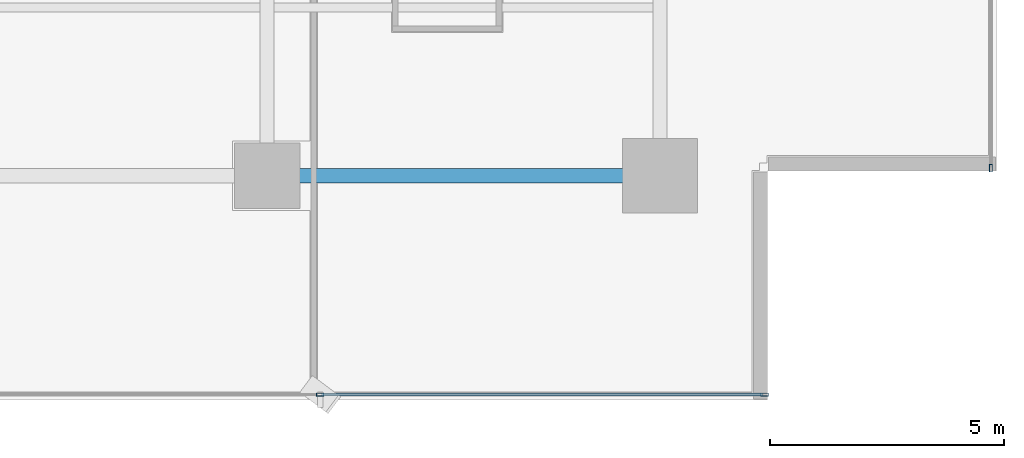
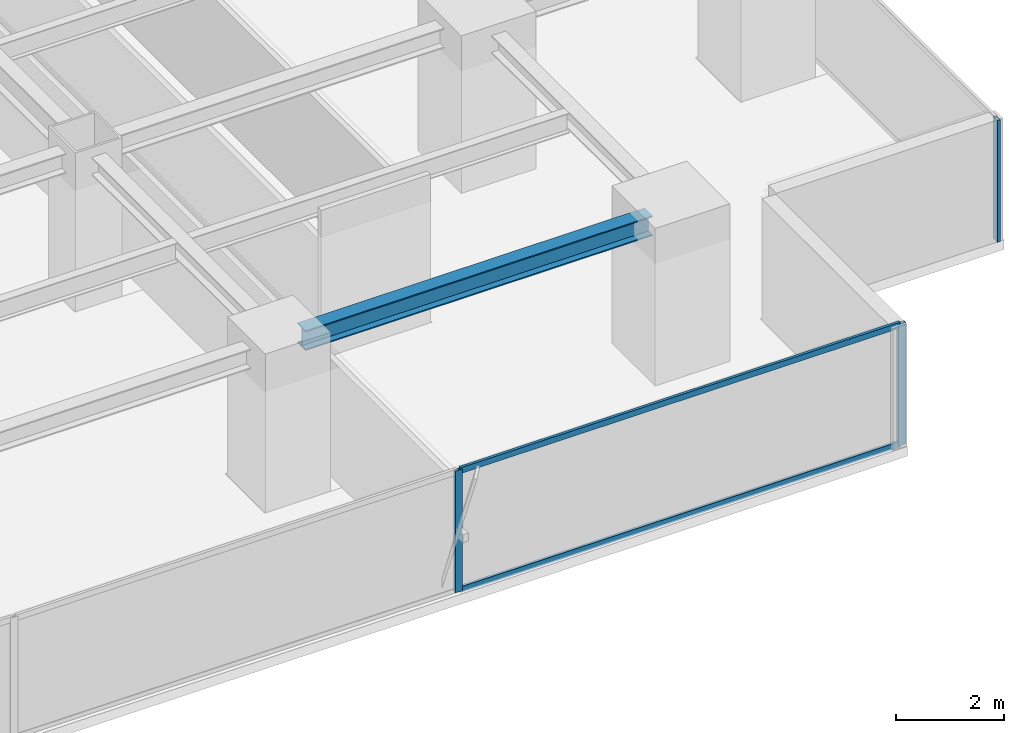
# One storey, part 9 of 27: 5 members, 1 beam, 2 elements without a shape of their own.
"""IFC4 building model written with IfcOpenShell, lengths in metres."""

from ifc_helpers import new_model, si_unit, direction, frame, origin, origin_2d, place, context, subcontext, project, spatial, hollow_rectangle, i_section, extrude, source, transform, mapped, material, layer, layer_set, material_profile, profile_set, type_object, element, aggregate, save


model = new_model("IFC4")

# Units and contexts
model_context = context("Model", 3, precision=1e-05, world=origin(), true_north=direction((0.0, 1.0)))
body_context = subcontext(model_context, "Body", "Model", "MODEL_VIEW")
ifc_project = project(units=[si_unit("LENGTHUNIT", "METRE"), si_unit("AREAUNIT", "SQUARE_METRE"), si_unit("VOLUMEUNIT", "CUBIC_METRE"), si_unit("PLANEANGLEUNIT", "RADIAN"), si_unit("MASSUNIT", "GRAM", prefix="KILO")], contexts=[model_context])

# Site, building, storey
site_placement = place(None, origin())
site = spatial("IfcSite", under=ifc_project, at=site_placement, CompositionType="ELEMENT")
building_placement = place(site_placement, origin())
building = spatial("IfcBuilding", under=site, at=building_placement, Name="Sumidabori Civic Tower", CompositionType="ELEMENT")
storey_placement = place(building_placement, frame((0.0, 0.0, 138.800048828125)))
storey = spatial("IfcBuildingStorey", under=building, at=storey_placement, Name="L35", CompositionType="ELEMENT", Elevation=138.800048828125)

# Beam
ifc_material_1 = material(Name="Steel SN490", Category="steel")
ifc_material_profile_1 = material_profile(ifc_material_1, i_section(OverallWidth=0.300048828125, OverallDepth=0.449951171875, WebThickness=0.013916015625, FlangeThickness=0.02587890625, at=origin_2d()), Name="HE 450 B")
ifc_profile_set_1 = profile_set([ifc_material_profile_1], Name="Steel SN490")
beam_type = type_object("IfcBeamType", Name="BM-GIRD-450", PredefinedType="BEAM", material=ifc_profile_set_1)
shared_shape_1 = source(origin(), body_context, "Body", "SweptSolid", [
    extrude(i_section(OverallWidth=0.300048828125, OverallDepth=0.449951171875, WebThickness=0.013916015625, FlangeThickness=0.02587890625, at=origin_2d()), origin(), (0.0, 0.0, 1.0), 7.440185546875),
])
beam_placement = place(storey_placement, frame((8.8798828125, -18.0, 3.155029296875), z_axis=(1.0, 0.0, 0.0), x_axis=(0.0, 1.0, 0.0)))
element("IfcBeam", 1, at=beam_placement, inside=storey, type_object=beam_type, Name="Primary Girder L35 GX-04", PredefinedType="BEAM", context=body_context, shape_type="MappedRepresentation", body=[
    mapped(shared_shape_1, transform((0.0, 0.0, 0.0), x_axis=(1.0, 0.0, 0.0), y_axis=(0.0, 1.0, 0.0), z_axis=(0.0, 0.0, 1.0), scale=1.0)),
])

# Curtain wall, members
ifc_material_2 = material(Name="Anodised Bronze Aluminium AW-6063-T6", Category="aluminium")
ifc_layer = layer(ifc_material_2, 0.179931640625, Name="Anodised Bronze Aluminium AW-6063-T6")
ifc_layer_set = layer_set([ifc_layer], Name="Anodised Bronze Aluminium AW-6063-T6")
curtain_wall_type = type_object("IfcCurtainWallType", Name="CW-SYS-3", PredefinedType="NOTDEFINED", material=ifc_layer_set)
curtain_wall_1_placement = place(storey_placement, origin())
curtain_wall_1 = element("IfcCurtainWall", 2, at=curtain_wall_1_placement, inside=storey, type_object=curtain_wall_type, Name="Curtain Wall CW:L35:R01", PredefinedType="NOTDEFINED")
ifc_material_profile_2 = material_profile(ifc_material_2, hollow_rectangle(XDim=0.06494140625, YDim=0.159912109375, WallThickness=0.0048828125, at=origin_2d()), Name="ALU MULLION 160x65")
ifc_profile_set_2 = profile_set([ifc_material_profile_2], Name="Anodised Bronze Aluminium AW-6063-T6")
member_type_1 = type_object("IfcMemberType", Name="CW-MUL-160", PredefinedType="MULLION", material=ifc_profile_set_2)
shared_shape_2 = source(origin(), body_context, "Body", "SweptSolid", [
    extrude(hollow_rectangle(XDim=0.06494140625, YDim=0.159912109375, WallThickness=0.0048828125, at=origin_2d()), origin(), (0.0, 0.0, 1.0), 2.760009765625),
])
member_1_placement = place(storey_placement, frame((9.534912109375, -22.679931640625, 0.0), z_axis=(0.0, 0.0, 1.0), x_axis=(0.0, 1.0, 0.0)))
member_1 = element("IfcMember", 3, at=member_1_placement, type_object=member_type_1, Name="CW-3 mullion 4", PredefinedType="MULLION", context=body_context, shape_type="MappedRepresentation", body=[
    mapped(shared_shape_2, transform((0.0, 0.0, 0.0), x_axis=(1.0, 0.0, 0.0), y_axis=(0.0, 1.0, 0.0), z_axis=(0.0, 0.0, 1.0), scale=1.0)),
])
member_2_placement = place(storey_placement, frame((19.03759765625, -22.679931640625, 0.0), z_axis=(0.0, 0.0, 1.0), x_axis=(0.0, 1.0, 0.0)))
member_2 = element("IfcMember", 4, at=member_2_placement, type_object=member_type_1, Name="CW-3 mullion 5", PredefinedType="MULLION", context=body_context, shape_type="MappedRepresentation", body=[
    mapped(shared_shape_2, transform((0.0, 0.0, 0.0), x_axis=(1.0, 0.0, 0.0), y_axis=(0.0, 1.0, 0.0), z_axis=(0.0, 0.0, 1.0), scale=1.0)),
])

# Curtain wall, member
curtain_wall_2_placement = place(storey_placement, origin())
curtain_wall_2 = element("IfcCurtainWall", 5, at=curtain_wall_2_placement, inside=storey, type_object=curtain_wall_type, Name="Curtain Wall CW:L35:R04", PredefinedType="NOTDEFINED")
member_3_placement = place(storey_placement, frame((23.8798828125, -17.83740234375, 0.0), z_axis=(0.0, 0.0, 1.0), x_axis=(-1.0, 0.0, 0.0)))
member_3 = element("IfcMember", 6, at=member_3_placement, type_object=member_type_1, Name="CW-3 mullion 1", PredefinedType="MULLION", context=body_context, shape_type="MappedRepresentation", body=[
    mapped(shared_shape_2, transform((0.0, 0.0, 0.0), x_axis=(1.0, 0.0, 0.0), y_axis=(0.0, 1.0, 0.0), z_axis=(0.0, 0.0, 1.0), scale=1.0)),
])
aggregate(curtain_wall_2, [member_3])

# Member
ifc_material_profile_3 = material_profile(ifc_material_2, hollow_rectangle(XDim=0.06005859375, YDim=0.1298828125, WallThickness=0.0048828125, at=origin_2d()), Name="ALU TRANSOM 130x60")
ifc_profile_set_3 = profile_set([ifc_material_profile_3], Name="Anodised Bronze Aluminium AW-6063-T6")
member_type_2 = type_object("IfcMemberType", Name="CW-TRN-130", PredefinedType="USERDEFINED", material=ifc_profile_set_3)
shared_shape_3 = source(origin(), body_context, "Body", "SweptSolid", [
    extrude(hollow_rectangle(XDim=0.06005859375, YDim=0.1298828125, WallThickness=0.0048828125, at=origin_2d()), origin(), (0.0, 0.0, 1.0), 9.4375),
])
member_4_placement = place(storey_placement, frame((9.5673828125, -22.679931640625, 0.030029296875), z_axis=(1.0, 0.0, 0.0), x_axis=(0.0, 1.0, 0.0)))
member_4 = element("IfcMember", 7, at=member_4_placement, type_object=member_type_2, Name="CW-3 transom 4.1", ObjectType="TRANSOM", PredefinedType="USERDEFINED", context=body_context, shape_type="MappedRepresentation", body=[
    mapped(shared_shape_3, transform((0.0, 0.0, 0.0), x_axis=(1.0, 0.0, 0.0), y_axis=(0.0, 1.0, 0.0), z_axis=(0.0, 0.0, 1.0), scale=1.0)),
])

member_5_placement = place(storey_placement, frame((9.5673828125, -22.679931640625, 2.72998046875), z_axis=(1.0, 0.0, 0.0), x_axis=(0.0, 1.0, 0.0)))
member_5 = element("IfcMember", 8, at=member_5_placement, type_object=member_type_2, Name="CW-3 transom 4.2", ObjectType="TRANSOM", PredefinedType="USERDEFINED", context=body_context, shape_type="MappedRepresentation", body=[
    mapped(shared_shape_3, transform((0.0, 0.0, 0.0), x_axis=(1.0, 0.0, 0.0), y_axis=(0.0, 1.0, 0.0), z_axis=(0.0, 0.0, 1.0), scale=1.0)),
])

aggregate(curtain_wall_1, [member_1, member_2, member_4, member_5])

save(model, "model.ifc")
